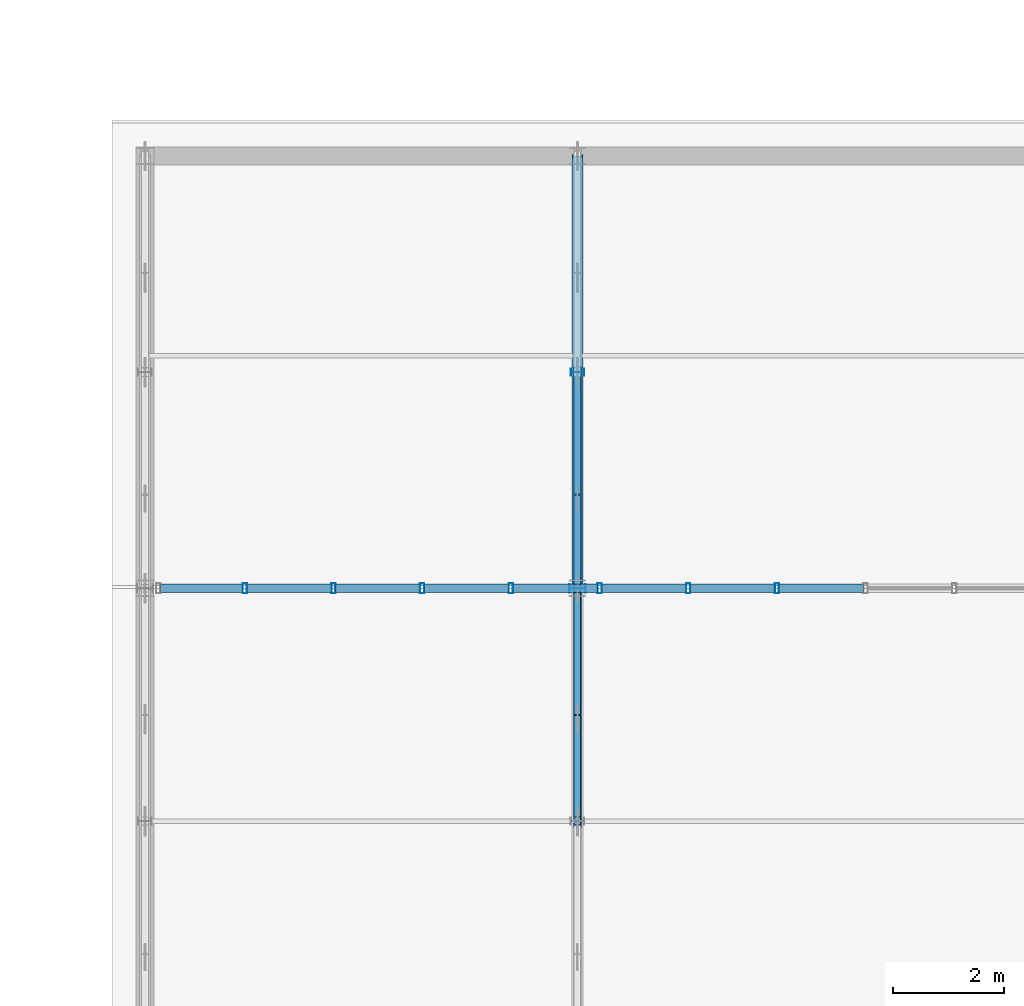
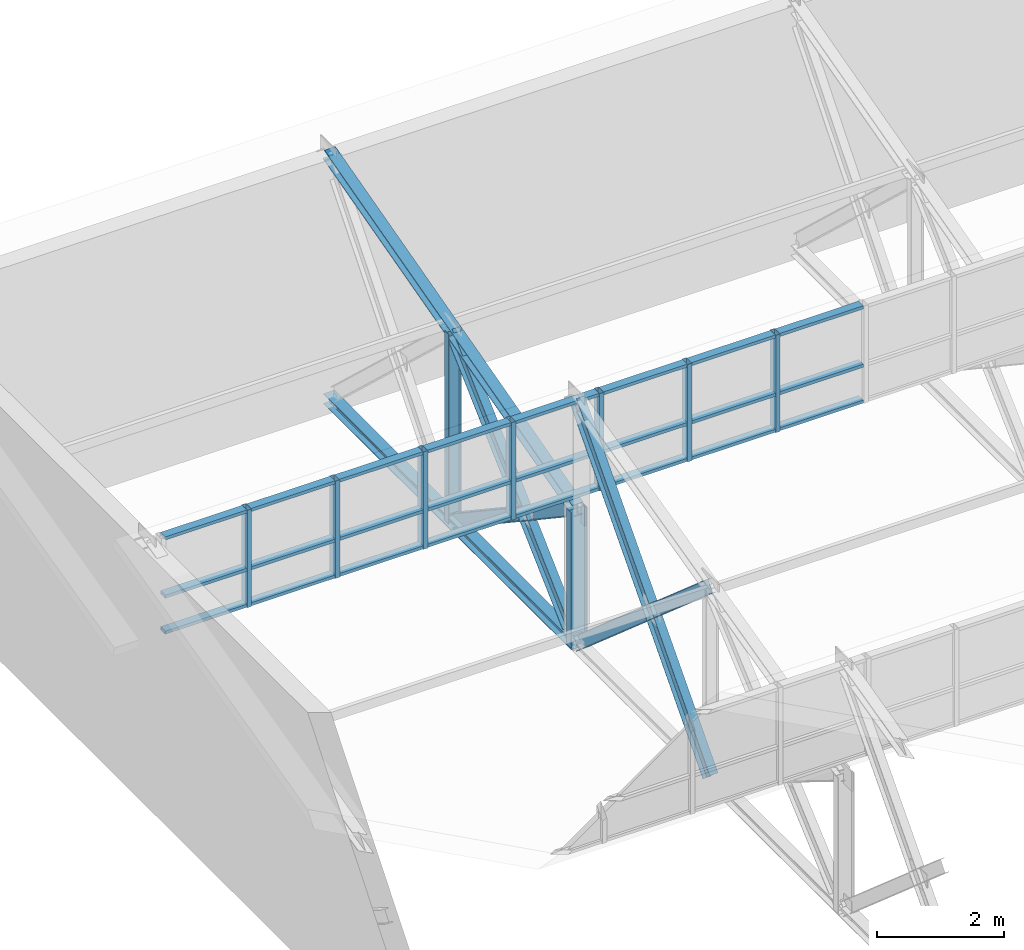
# One storey, part 74 of 123: 41 members, 1 element without a shape of its own.
"""IFC4 building model written with IfcOpenShell, lengths in metres."""

from ifc_helpers import new_model, si_unit, direction, frame, origin, origin_2d, place, context, subcontext, project, spatial, hollow_rectangle, i_section, extrude, material, layer, layer_set, material_profile, profile_set, type_object, element, aggregate, save


model = new_model("IFC4")

# Units and contexts
model_context = context("Model", 3, precision=1e-05, world=origin(), true_north=direction((0.0, 1.0)))
body_context = subcontext(model_context, "Body", "Model", "MODEL_VIEW")
ifc_project = project(units=[si_unit("LENGTHUNIT", "METRE"), si_unit("AREAUNIT", "SQUARE_METRE"), si_unit("VOLUMEUNIT", "CUBIC_METRE"), si_unit("PLANEANGLEUNIT", "RADIAN"), si_unit("MASSUNIT", "GRAM", prefix="KILO")], contexts=[model_context])

# Site, building, storey
site_placement = place(None, origin())
site = spatial("IfcSite", under=ifc_project, at=site_placement, CompositionType="ELEMENT")
building_placement = place(site_placement, origin())
building = spatial("IfcBuilding", under=site, at=building_placement, Name="Zayran Congress Hotel", CompositionType="ELEMENT")
storey_placement = place(building_placement, frame((0.0, 0.0, 15.0)))
storey = spatial("IfcBuildingStorey", under=building, at=storey_placement, Name="L03", CompositionType="ELEMENT", Elevation=15.0)

# Members
ifc_material_1 = material(Name="Steel S355", Category="steel")
ifc_material_profile_1 = material_profile(ifc_material_1, i_section(OverallWidth=0.199951171875, OverallDepth=0.199951171875, WebThickness=0.009033203125, FlangeThickness=0.014892578125, at=origin_2d()), Name="HEB 200")
ifc_profile_set_1 = profile_set([ifc_material_profile_1], Name="Steel S355")
member_type_1 = type_object("IfcMemberType", Name="TP-TR-CH2", PredefinedType="CHORD", material=ifc_profile_set_1)
member_1_placement = place(storey_placement, frame((159.60009765625, 34.0, 0.0), z_axis=(0.0, 1.0, 0.0), x_axis=(-1.0, 0.0, 0.0)))
element("IfcMember", 1, at=member_1_placement, inside=storey, type_object=member_type_1, Name="Sawtooth Truss Bottom Chord 698", PredefinedType="CHORD", context=body_context, shape_type="SweptSolid", body=[
    extrude(i_section(OverallWidth=0.199951171875, OverallDepth=0.199951171875, WebThickness=0.009033203125, FlangeThickness=0.014892578125, at=origin_2d()), origin(), (0.0, 0.0, 1.0), 7.800048828125),
])
member_2_placement = place(storey_placement, frame((159.60009765625, 34.0, 2.60009765625), z_axis=(0.0, 0.96579502769, 0.259306699663), x_axis=(-1.0, 0.0, 0.0)))
element("IfcMember", 2, at=member_2_placement, inside=storey, type_object=member_type_1, Name="Sawtooth Truss Top Chord 699", PredefinedType="CHORD", context=body_context, shape_type="SweptSolid", body=[
    extrude(i_section(OverallWidth=0.199951171875, OverallDepth=0.199951171875, WebThickness=0.009033203125, FlangeThickness=0.014892578125, at=origin_2d()), origin(), (0.0, 0.0, 1.0), 8.076416015625),
])
ifc_material_profile_2 = material_profile(ifc_material_1, i_section(OverallWidth=0.14990234375, OverallDepth=0.300048828125, WebThickness=0.007080078125, FlangeThickness=0.0107421875, at=origin_2d()), Name="IPE 300")
ifc_profile_set_2 = profile_set([ifc_material_profile_2], Name="Steel S355")
member_type_2 = type_object("IfcMemberType", Name="TP-TR-BR1", PredefinedType="BRACE", material=ifc_profile_set_2)
member_3_placement = place(storey_placement, frame((159.60009765625, 29.800048828125, 0.0), z_axis=(0.0, 0.666773332967, 0.745260573521), x_axis=(-1.0, 0.0, 0.0)))
element("IfcMember", 3, at=member_3_placement, inside=storey, type_object=member_type_2, Name="Sawtooth Truss Diagonal Bay2 138", PredefinedType="BRACE", context=body_context, shape_type="SweptSolid", body=[
    extrude(i_section(OverallWidth=0.14990234375, OverallDepth=0.300048828125, WebThickness=0.007080078125, FlangeThickness=0.0107421875, at=origin_2d()), origin(), (0.0, 0.0, 1.0), 6.298828125),
])
member_4_placement = place(storey_placement, frame((159.60009765625, 34.0, 0.0), z_axis=(0.0, 0.730372213416, 0.683049361225), x_axis=(-1.0, 0.0, 0.0)))
element("IfcMember", 4, at=member_4_placement, inside=storey, type_object=member_type_2, Name="Sawtooth Truss Diagonal 700", PredefinedType="BRACE", context=body_context, shape_type="SweptSolid", body=[
    extrude(i_section(OverallWidth=0.14990234375, OverallDepth=0.300048828125, WebThickness=0.007080078125, FlangeThickness=0.0107421875, at=origin_2d()), origin(), (0.0, 0.0, 1.0), 5.339599609375),
])
member_5_placement = place(storey_placement, frame((159.60009765625, 34.0, 0.0), z_axis=(0.0, 0.0, 1.0), x_axis=(0.0, 1.0, 0.0)))
element("IfcMember", 5, at=member_5_placement, inside=storey, type_object=member_type_2, Name="TRV-01 Sawtooth Truss Strut", PredefinedType="BRACE", context=body_context, shape_type="SweptSolid", body=[
    extrude(i_section(OverallWidth=0.14990234375, OverallDepth=0.300048828125, WebThickness=0.007080078125, FlangeThickness=0.0107421875, at=origin_2d()), origin(), (0.0, 0.0, 1.0), 2.60009765625),
])
ifc_material_profile_3 = material_profile(ifc_material_1, i_section(OverallWidth=0.1201171875, OverallDepth=0.239990234375, WebThickness=0.006103515625, FlangeThickness=0.009765625, at=origin_2d()), Name="IPE 240")
ifc_profile_set_3 = profile_set([ifc_material_profile_3], Name="Steel S355")
member_type_3 = type_object("IfcMemberType", Name="TP-TR-BR2", PredefinedType="BRACE", material=ifc_profile_set_3)
member_6_placement = place(storey_placement, frame((159.60009765625, 29.800048828125, 3.647216796875), z_axis=(0.0, 0.755055489466, -0.655660893929), x_axis=(-1.0, 0.0, 0.0)))
element("IfcMember", 6, at=member_6_placement, inside=storey, type_object=member_type_3, Name="Sawtooth Truss Counter Diagonal Bay2 Upper 139", PredefinedType="BRACE", context=body_context, shape_type="SweptSolid", body=[
    extrude(i_section(OverallWidth=0.1201171875, OverallDepth=0.239990234375, WebThickness=0.006103515625, FlangeThickness=0.009765625, at=origin_2d()), origin(), (0.0, 0.0, 1.0), 2.4169921875),
])
member_7_placement = place(storey_placement, frame((159.60009765625, 31.647705078125, 2.042724609375), z_axis=(0.0, 0.755042306738, -0.655676074777), x_axis=(-1.0, 0.0, 0.0)))
element("IfcMember", 7, at=member_7_placement, inside=storey, type_object=member_type_3, Name="Sawtooth Truss Counter Diagonal Bay2 Lower 140", PredefinedType="BRACE", context=body_context, shape_type="SweptSolid", body=[
    extrude(i_section(OverallWidth=0.1201171875, OverallDepth=0.239990234375, WebThickness=0.006103515625, FlangeThickness=0.009765625, at=origin_2d()), origin(), (0.0, 0.0, 1.0), 3.115478515625),
])
member_8_placement = place(storey_placement, frame((159.60009765625, 34.0, 2.60009765625), z_axis=(0.0, 0.831992082034, -0.554787504755), x_axis=(-1.0, 0.0, 0.0)))
element("IfcMember", 8, at=member_8_placement, inside=storey, type_object=member_type_3, Name="Sawtooth Truss Counter Diagonal Upper 701", PredefinedType="BRACE", context=body_context, shape_type="SweptSolid", body=[
    extrude(i_section(OverallWidth=0.1201171875, OverallDepth=0.239990234375, WebThickness=0.006103515625, FlangeThickness=0.009765625, at=origin_2d()), origin(), (0.0, 0.0, 1.0), 1.935791015625),
])
member_9_placement = place(storey_placement, frame((159.60009765625, 35.635498046875, 1.509521484375), z_axis=(0.0, 0.832064095683, -0.55467949365), x_axis=(-1.0, 0.0, 0.0)))
element("IfcMember", 9, at=member_9_placement, inside=storey, type_object=member_type_3, Name="Sawtooth Truss Counter Diagonal Lower 141", PredefinedType="BRACE", context=body_context, shape_type="SweptSolid", body=[
    extrude(i_section(OverallWidth=0.1201171875, OverallDepth=0.239990234375, WebThickness=0.006103515625, FlangeThickness=0.009765625, at=origin_2d()), origin(), (0.0, 0.0, 1.0), 2.721435546875),
])
member_10_placement = place(storey_placement, frame((159.60009765625, 37.89990234375, 0.0), z_axis=(0.0, 0.0, 1.0), x_axis=(0.0, 1.0, 0.0)))
element("IfcMember", 10, at=member_10_placement, inside=storey, type_object=member_type_3, Name="TRV-01 Sawtooth Truss Strut", PredefinedType="BRACE", context=body_context, shape_type="SweptSolid", body=[
    extrude(i_section(OverallWidth=0.1201171875, OverallDepth=0.239990234375, WebThickness=0.006103515625, FlangeThickness=0.009765625, at=origin_2d()), origin(), (0.0, 0.0, 1.0), 3.647216796875),
])

# Curtain wall, members
ifc_material_2 = material(Name="Anodised aluminium and low-E insulated glass", Category="aluminium")
ifc_layer = layer(ifc_material_2, 0.179931640625)
ifc_layer_set = layer_set([ifc_layer], Name="Anodised aluminium and low-E insulated glass")
curtain_wall_type = type_object("IfcCurtainWallType", Name="CW-V3SAW-L03-CW-V31-32000-1870", PredefinedType="USERDEFINED", material=ifc_layer_set)
curtain_wall_placement = place(storey_placement, origin())
curtain_wall = element("IfcCurtainWall", 11, at=curtain_wall_placement, inside=storey, type_object=curtain_wall_type, Name="CW-V3SAW-3", ObjectType="CURTAIN WALL", PredefinedType="USERDEFINED")
ifc_material_3 = material(Name="Anodised aluminium framing", Category="aluminium")
ifc_material_profile_4 = material_profile(ifc_material_3, hollow_rectangle(XDim=0.080078125, YDim=0.179931640625, WallThickness=0.0048828125, at=origin_2d()), Name="RHS 180x80x5")
ifc_profile_set_4 = profile_set([ifc_material_profile_4], Name="Anodised aluminium framing")
member_type_4 = type_object("IfcMemberType", Name="TP-CWM-01", PredefinedType="MULLION", material=ifc_profile_set_4)
member_11_placement = place(storey_placement, frame((163.199951171875, 34.0, 2.85009765625), z_axis=(0.0, 0.0, 1.0), x_axis=(1.0, 0.0, 0.0)))
member_11 = element("IfcMember", 12, at=member_11_placement, type_object=member_type_4, Name="CW-V3SAW-3-M13", PredefinedType="MULLION", context=body_context, shape_type="SweptSolid", body=[
    extrude(hollow_rectangle(XDim=0.080078125, YDim=0.179931640625, WallThickness=0.0048828125, at=origin_2d()), origin(), (0.0, 0.0, 1.0), 1.869873046875),
])
member_12_placement = place(storey_placement, frame((161.60009765625, 34.0, 2.85009765625), z_axis=(0.0, 0.0, 1.0), x_axis=(1.0, 0.0, 0.0)))
member_12 = element("IfcMember", 13, at=member_12_placement, type_object=member_type_4, Name="CW-V3SAW-3-M14", PredefinedType="MULLION", context=body_context, shape_type="SweptSolid", body=[
    extrude(hollow_rectangle(XDim=0.080078125, YDim=0.179931640625, WallThickness=0.0048828125, at=origin_2d()), origin(), (0.0, 0.0, 1.0), 1.869873046875),
])
member_13_placement = place(storey_placement, frame((160.0, 34.0, 2.85009765625), z_axis=(0.0, 0.0, 1.0), x_axis=(1.0, 0.0, 0.0)))
member_13 = element("IfcMember", 14, at=member_13_placement, type_object=member_type_4, Name="CW-V3SAW-3-M15", PredefinedType="MULLION", context=body_context, shape_type="SweptSolid", body=[
    extrude(hollow_rectangle(XDim=0.080078125, YDim=0.179931640625, WallThickness=0.0048828125, at=origin_2d()), origin(), (0.0, 0.0, 1.0), 1.869873046875),
])
member_14_placement = place(storey_placement, frame((158.39990234375, 34.0, 2.85009765625), z_axis=(0.0, 0.0, 1.0), x_axis=(1.0, 0.0, 0.0)))
member_14 = element("IfcMember", 15, at=member_14_placement, type_object=member_type_4, Name="CW-V3SAW-3-M16", PredefinedType="MULLION", context=body_context, shape_type="SweptSolid", body=[
    extrude(hollow_rectangle(XDim=0.080078125, YDim=0.179931640625, WallThickness=0.0048828125, at=origin_2d()), origin(), (0.0, 0.0, 1.0), 1.869873046875),
])
member_15_placement = place(storey_placement, frame((156.800048828125, 34.0, 2.85009765625), z_axis=(0.0, 0.0, 1.0), x_axis=(1.0, 0.0, 0.0)))
member_15 = element("IfcMember", 16, at=member_15_placement, type_object=member_type_4, Name="CW-V3SAW-3-M17", PredefinedType="MULLION", context=body_context, shape_type="SweptSolid", body=[
    extrude(hollow_rectangle(XDim=0.080078125, YDim=0.179931640625, WallThickness=0.0048828125, at=origin_2d()), origin(), (0.0, 0.0, 1.0), 1.869873046875),
])
member_16_placement = place(storey_placement, frame((155.199951171875, 34.0, 2.85009765625), z_axis=(0.0, 0.0, 1.0), x_axis=(1.0, 0.0, 0.0)))
member_16 = element("IfcMember", 17, at=member_16_placement, type_object=member_type_4, Name="CW-V3SAW-3-M18", PredefinedType="MULLION", context=body_context, shape_type="SweptSolid", body=[
    extrude(hollow_rectangle(XDim=0.080078125, YDim=0.179931640625, WallThickness=0.0048828125, at=origin_2d()), origin(), (0.0, 0.0, 1.0), 1.869873046875),
])
member_17_placement = place(storey_placement, frame((153.60009765625, 34.0, 2.85009765625), z_axis=(0.0, 0.0, 1.0), x_axis=(1.0, 0.0, 0.0)))
member_17 = element("IfcMember", 18, at=member_17_placement, type_object=member_type_4, Name="CW-V3SAW-3-M19", PredefinedType="MULLION", context=body_context, shape_type="SweptSolid", body=[
    extrude(hollow_rectangle(XDim=0.080078125, YDim=0.179931640625, WallThickness=0.0048828125, at=origin_2d()), origin(), (0.0, 0.0, 1.0), 1.869873046875),
])
ifc_material_profile_5 = material_profile(ifc_material_3, hollow_rectangle(XDim=0.06005859375, YDim=0.14990234375, WallThickness=0.00390625, at=origin_2d()), Name="RHS 150x60x4")
ifc_profile_set_5 = profile_set([ifc_material_profile_5], Name="Anodised aluminium framing")
member_type_5 = type_object("IfcMemberType", Name="TP-CWT-01", PredefinedType="USERDEFINED", material=ifc_profile_set_5)
member_18_placement = place(storey_placement, frame((164.760009765625, 34.0, 2.8798828125), z_axis=(-1.0, 0.0, 0.0), x_axis=(0.0, 0.0, 1.0)))
member_18 = element("IfcMember", 19, at=member_18_placement, type_object=member_type_5, Name="CW-V3SAW-3-T12-0", ObjectType="TRANSOM", PredefinedType="USERDEFINED", context=body_context, shape_type="SweptSolid", body=[
    extrude(hollow_rectangle(XDim=0.06005859375, YDim=0.14990234375, WallThickness=0.00390625, at=origin_2d()), origin(), (0.0, 0.0, 1.0), 1.52001953125),
])
member_19_placement = place(storey_placement, frame((164.760009765625, 34.0, 3.570068359375), z_axis=(-1.0, 0.0, 0.0), x_axis=(0.0, 0.0, 1.0)))
member_19 = element("IfcMember", 20, at=member_19_placement, type_object=member_type_5, Name="CW-V3SAW-3-T12-1", ObjectType="TRANSOM", PredefinedType="USERDEFINED", context=body_context, shape_type="SweptSolid", body=[
    extrude(hollow_rectangle(XDim=0.06005859375, YDim=0.14990234375, WallThickness=0.00390625, at=origin_2d()), origin(), (0.0, 0.0, 1.0), 1.52001953125),
])
member_20_placement = place(storey_placement, frame((164.760009765625, 34.0, 4.68994140625), z_axis=(-1.0, 0.0, 0.0), x_axis=(0.0, 0.0, 1.0)))
member_20 = element("IfcMember", 21, at=member_20_placement, type_object=member_type_5, Name="CW-V3SAW-3-T12-2", ObjectType="TRANSOM", PredefinedType="USERDEFINED", context=body_context, shape_type="SweptSolid", body=[
    extrude(hollow_rectangle(XDim=0.06005859375, YDim=0.14990234375, WallThickness=0.00390625, at=origin_2d()), origin(), (0.0, 0.0, 1.0), 1.52001953125),
])
member_21_placement = place(storey_placement, frame((163.159912109375, 34.0, 2.8798828125), z_axis=(-1.0, 0.0, 0.0), x_axis=(0.0, 0.0, 1.0)))
member_21 = element("IfcMember", 22, at=member_21_placement, type_object=member_type_5, Name="CW-V3SAW-3-T13-0", ObjectType="TRANSOM", PredefinedType="USERDEFINED", context=body_context, shape_type="SweptSolid", body=[
    extrude(hollow_rectangle(XDim=0.06005859375, YDim=0.14990234375, WallThickness=0.00390625, at=origin_2d()), origin(), (0.0, 0.0, 1.0), 1.52001953125),
])
member_22_placement = place(storey_placement, frame((163.159912109375, 34.0, 3.570068359375), z_axis=(-1.0, 0.0, 0.0), x_axis=(0.0, 0.0, 1.0)))
member_22 = element("IfcMember", 23, at=member_22_placement, type_object=member_type_5, Name="CW-V3SAW-3-T13-1", ObjectType="TRANSOM", PredefinedType="USERDEFINED", context=body_context, shape_type="SweptSolid", body=[
    extrude(hollow_rectangle(XDim=0.06005859375, YDim=0.14990234375, WallThickness=0.00390625, at=origin_2d()), origin(), (0.0, 0.0, 1.0), 1.52001953125),
])
member_23_placement = place(storey_placement, frame((163.159912109375, 34.0, 4.68994140625), z_axis=(-1.0, 0.0, 0.0), x_axis=(0.0, 0.0, 1.0)))
member_23 = element("IfcMember", 24, at=member_23_placement, type_object=member_type_5, Name="CW-V3SAW-3-T13-2", ObjectType="TRANSOM", PredefinedType="USERDEFINED", context=body_context, shape_type="SweptSolid", body=[
    extrude(hollow_rectangle(XDim=0.06005859375, YDim=0.14990234375, WallThickness=0.00390625, at=origin_2d()), origin(), (0.0, 0.0, 1.0), 1.52001953125),
])
member_24_placement = place(storey_placement, frame((161.56005859375, 34.0, 2.8798828125), z_axis=(-1.0, 0.0, 0.0), x_axis=(0.0, 0.0, 1.0)))
member_24 = element("IfcMember", 25, at=member_24_placement, type_object=member_type_5, Name="CW-V3SAW-3-T14-0", ObjectType="TRANSOM", PredefinedType="USERDEFINED", context=body_context, shape_type="SweptSolid", body=[
    extrude(hollow_rectangle(XDim=0.06005859375, YDim=0.14990234375, WallThickness=0.00390625, at=origin_2d()), origin(), (0.0, 0.0, 1.0), 1.52001953125),
])
member_25_placement = place(storey_placement, frame((161.56005859375, 34.0, 3.570068359375), z_axis=(-1.0, 0.0, 0.0), x_axis=(0.0, 0.0, 1.0)))
member_25 = element("IfcMember", 26, at=member_25_placement, type_object=member_type_5, Name="CW-V3SAW-3-T14-1", ObjectType="TRANSOM", PredefinedType="USERDEFINED", context=body_context, shape_type="SweptSolid", body=[
    extrude(hollow_rectangle(XDim=0.06005859375, YDim=0.14990234375, WallThickness=0.00390625, at=origin_2d()), origin(), (0.0, 0.0, 1.0), 1.52001953125),
])
member_26_placement = place(storey_placement, frame((161.56005859375, 34.0, 4.68994140625), z_axis=(-1.0, 0.0, 0.0), x_axis=(0.0, 0.0, 1.0)))
member_26 = element("IfcMember", 27, at=member_26_placement, type_object=member_type_5, Name="CW-V3SAW-3-T14-2", ObjectType="TRANSOM", PredefinedType="USERDEFINED", context=body_context, shape_type="SweptSolid", body=[
    extrude(hollow_rectangle(XDim=0.06005859375, YDim=0.14990234375, WallThickness=0.00390625, at=origin_2d()), origin(), (0.0, 0.0, 1.0), 1.52001953125),
])
member_27_placement = place(storey_placement, frame((159.9599609375, 34.0, 2.8798828125), z_axis=(-1.0, 0.0, 0.0), x_axis=(0.0, 0.0, 1.0)))
member_27 = element("IfcMember", 28, at=member_27_placement, type_object=member_type_5, Name="CW-V3SAW-3-T15-0", ObjectType="TRANSOM", PredefinedType="USERDEFINED", context=body_context, shape_type="SweptSolid", body=[
    extrude(hollow_rectangle(XDim=0.06005859375, YDim=0.14990234375, WallThickness=0.00390625, at=origin_2d()), origin(), (0.0, 0.0, 1.0), 1.52001953125),
])
member_28_placement = place(storey_placement, frame((159.9599609375, 34.0, 3.570068359375), z_axis=(-1.0, 0.0, 0.0), x_axis=(0.0, 0.0, 1.0)))
member_28 = element("IfcMember", 29, at=member_28_placement, type_object=member_type_5, Name="CW-V3SAW-3-T15-1", ObjectType="TRANSOM", PredefinedType="USERDEFINED", context=body_context, shape_type="SweptSolid", body=[
    extrude(hollow_rectangle(XDim=0.06005859375, YDim=0.14990234375, WallThickness=0.00390625, at=origin_2d()), origin(), (0.0, 0.0, 1.0), 1.52001953125),
])
member_29_placement = place(storey_placement, frame((159.9599609375, 34.0, 4.68994140625), z_axis=(-1.0, 0.0, 0.0), x_axis=(0.0, 0.0, 1.0)))
member_29 = element("IfcMember", 30, at=member_29_placement, type_object=member_type_5, Name="CW-V3SAW-3-T15-2", ObjectType="TRANSOM", PredefinedType="USERDEFINED", context=body_context, shape_type="SweptSolid", body=[
    extrude(hollow_rectangle(XDim=0.06005859375, YDim=0.14990234375, WallThickness=0.00390625, at=origin_2d()), origin(), (0.0, 0.0, 1.0), 1.52001953125),
])
member_30_placement = place(storey_placement, frame((158.360107421875, 34.0, 2.8798828125), z_axis=(-1.0, 0.0, 0.0), x_axis=(0.0, 0.0, 1.0)))
member_30 = element("IfcMember", 31, at=member_30_placement, type_object=member_type_5, Name="CW-V3SAW-3-T16-0", ObjectType="TRANSOM", PredefinedType="USERDEFINED", context=body_context, shape_type="SweptSolid", body=[
    extrude(hollow_rectangle(XDim=0.06005859375, YDim=0.14990234375, WallThickness=0.00390625, at=origin_2d()), origin(), (0.0, 0.0, 1.0), 1.52001953125),
])
member_31_placement = place(storey_placement, frame((158.360107421875, 34.0, 3.570068359375), z_axis=(-1.0, 0.0, 0.0), x_axis=(0.0, 0.0, 1.0)))
member_31 = element("IfcMember", 32, at=member_31_placement, type_object=member_type_5, Name="CW-V3SAW-3-T16-1", ObjectType="TRANSOM", PredefinedType="USERDEFINED", context=body_context, shape_type="SweptSolid", body=[
    extrude(hollow_rectangle(XDim=0.06005859375, YDim=0.14990234375, WallThickness=0.00390625, at=origin_2d()), origin(), (0.0, 0.0, 1.0), 1.52001953125),
])
member_32_placement = place(storey_placement, frame((158.360107421875, 34.0, 4.68994140625), z_axis=(-1.0, 0.0, 0.0), x_axis=(0.0, 0.0, 1.0)))
member_32 = element("IfcMember", 33, at=member_32_placement, type_object=member_type_5, Name="CW-V3SAW-3-T16-2", ObjectType="TRANSOM", PredefinedType="USERDEFINED", context=body_context, shape_type="SweptSolid", body=[
    extrude(hollow_rectangle(XDim=0.06005859375, YDim=0.14990234375, WallThickness=0.00390625, at=origin_2d()), origin(), (0.0, 0.0, 1.0), 1.52001953125),
])
member_33_placement = place(storey_placement, frame((156.760009765625, 34.0, 2.8798828125), z_axis=(-1.0, 0.0, 0.0), x_axis=(0.0, 0.0, 1.0)))
member_33 = element("IfcMember", 34, at=member_33_placement, type_object=member_type_5, Name="CW-V3SAW-3-T17-0", ObjectType="TRANSOM", PredefinedType="USERDEFINED", context=body_context, shape_type="SweptSolid", body=[
    extrude(hollow_rectangle(XDim=0.06005859375, YDim=0.14990234375, WallThickness=0.00390625, at=origin_2d()), origin(), (0.0, 0.0, 1.0), 1.52001953125),
])
member_34_placement = place(storey_placement, frame((156.760009765625, 34.0, 3.570068359375), z_axis=(-1.0, 0.0, 0.0), x_axis=(0.0, 0.0, 1.0)))
member_34 = element("IfcMember", 35, at=member_34_placement, type_object=member_type_5, Name="CW-V3SAW-3-T17-1", ObjectType="TRANSOM", PredefinedType="USERDEFINED", context=body_context, shape_type="SweptSolid", body=[
    extrude(hollow_rectangle(XDim=0.06005859375, YDim=0.14990234375, WallThickness=0.00390625, at=origin_2d()), origin(), (0.0, 0.0, 1.0), 1.52001953125),
])
member_35_placement = place(storey_placement, frame((156.760009765625, 34.0, 4.68994140625), z_axis=(-1.0, 0.0, 0.0), x_axis=(0.0, 0.0, 1.0)))
member_35 = element("IfcMember", 36, at=member_35_placement, type_object=member_type_5, Name="CW-V3SAW-3-T17-2", ObjectType="TRANSOM", PredefinedType="USERDEFINED", context=body_context, shape_type="SweptSolid", body=[
    extrude(hollow_rectangle(XDim=0.06005859375, YDim=0.14990234375, WallThickness=0.00390625, at=origin_2d()), origin(), (0.0, 0.0, 1.0), 1.52001953125),
])
member_36_placement = place(storey_placement, frame((155.159912109375, 34.0, 2.8798828125), z_axis=(-1.0, 0.0, 0.0), x_axis=(0.0, 0.0, 1.0)))
member_36 = element("IfcMember", 37, at=member_36_placement, type_object=member_type_5, Name="CW-V3SAW-3-T18-0", ObjectType="TRANSOM", PredefinedType="USERDEFINED", context=body_context, shape_type="SweptSolid", body=[
    extrude(hollow_rectangle(XDim=0.06005859375, YDim=0.14990234375, WallThickness=0.00390625, at=origin_2d()), origin(), (0.0, 0.0, 1.0), 1.52001953125),
])
member_37_placement = place(storey_placement, frame((155.159912109375, 34.0, 3.570068359375), z_axis=(-1.0, 0.0, 0.0), x_axis=(0.0, 0.0, 1.0)))
member_37 = element("IfcMember", 38, at=member_37_placement, type_object=member_type_5, Name="CW-V3SAW-3-T18-1", ObjectType="TRANSOM", PredefinedType="USERDEFINED", context=body_context, shape_type="SweptSolid", body=[
    extrude(hollow_rectangle(XDim=0.06005859375, YDim=0.14990234375, WallThickness=0.00390625, at=origin_2d()), origin(), (0.0, 0.0, 1.0), 1.52001953125),
])
member_38_placement = place(storey_placement, frame((155.159912109375, 34.0, 4.68994140625), z_axis=(-1.0, 0.0, 0.0), x_axis=(0.0, 0.0, 1.0)))
member_38 = element("IfcMember", 39, at=member_38_placement, type_object=member_type_5, Name="CW-V3SAW-3-T18-2", ObjectType="TRANSOM", PredefinedType="USERDEFINED", context=body_context, shape_type="SweptSolid", body=[
    extrude(hollow_rectangle(XDim=0.06005859375, YDim=0.14990234375, WallThickness=0.00390625, at=origin_2d()), origin(), (0.0, 0.0, 1.0), 1.52001953125),
])
member_39_placement = place(storey_placement, frame((153.56005859375, 34.0, 2.8798828125), z_axis=(-1.0, 0.0, 0.0), x_axis=(0.0, 0.0, 1.0)))
member_39 = element("IfcMember", 40, at=member_39_placement, type_object=member_type_5, Name="CW-V3SAW-3-T19-0", ObjectType="TRANSOM", PredefinedType="USERDEFINED", context=body_context, shape_type="SweptSolid", body=[
    extrude(hollow_rectangle(XDim=0.06005859375, YDim=0.14990234375, WallThickness=0.00390625, at=origin_2d()), origin(), (0.0, 0.0, 1.0), 1.47998046875),
])
member_40_placement = place(storey_placement, frame((153.56005859375, 34.0, 3.570068359375), z_axis=(-1.0, 0.0, 0.0), x_axis=(0.0, 0.0, 1.0)))
member_40 = element("IfcMember", 41, at=member_40_placement, type_object=member_type_5, Name="CW-V3SAW-3-T19-1", ObjectType="TRANSOM", PredefinedType="USERDEFINED", context=body_context, shape_type="SweptSolid", body=[
    extrude(hollow_rectangle(XDim=0.06005859375, YDim=0.14990234375, WallThickness=0.00390625, at=origin_2d()), origin(), (0.0, 0.0, 1.0), 1.47998046875),
])
member_41_placement = place(storey_placement, frame((153.56005859375, 34.0, 4.68994140625), z_axis=(-1.0, 0.0, 0.0), x_axis=(0.0, 0.0, 1.0)))
member_41 = element("IfcMember", 42, at=member_41_placement, type_object=member_type_5, Name="CW-V3SAW-3-T19-2", ObjectType="TRANSOM", PredefinedType="USERDEFINED", context=body_context, shape_type="SweptSolid", body=[
    extrude(hollow_rectangle(XDim=0.06005859375, YDim=0.14990234375, WallThickness=0.00390625, at=origin_2d()), origin(), (0.0, 0.0, 1.0), 1.47998046875),
])
aggregate(curtain_wall, [member_11, member_12, member_13, member_14, member_15, member_16, member_17, member_18, member_19, member_20, member_21, member_22, member_23, member_24, member_25, member_26, member_27, member_28, member_29, member_30, member_31, member_32, member_33, member_34, member_35, member_36, member_37, member_38, member_39, member_40, member_41])

save(model, "model.ifc")
